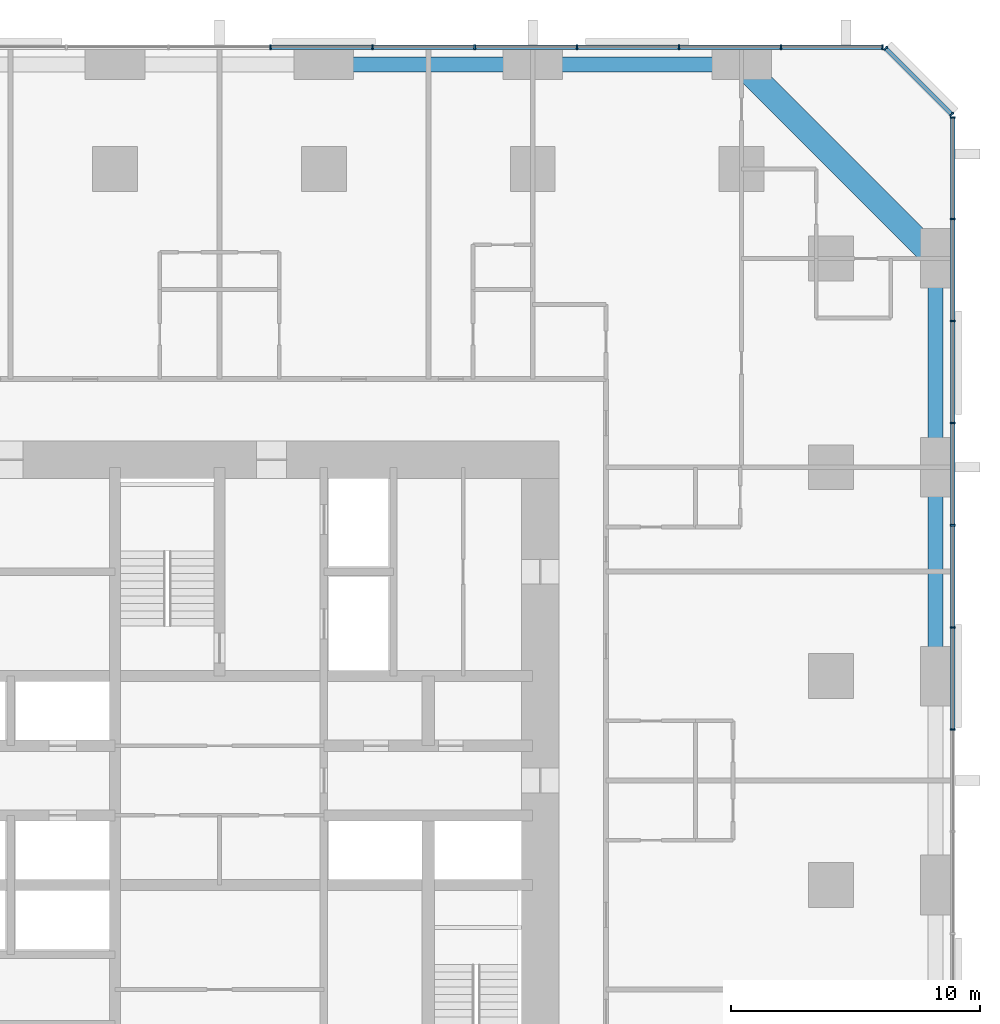
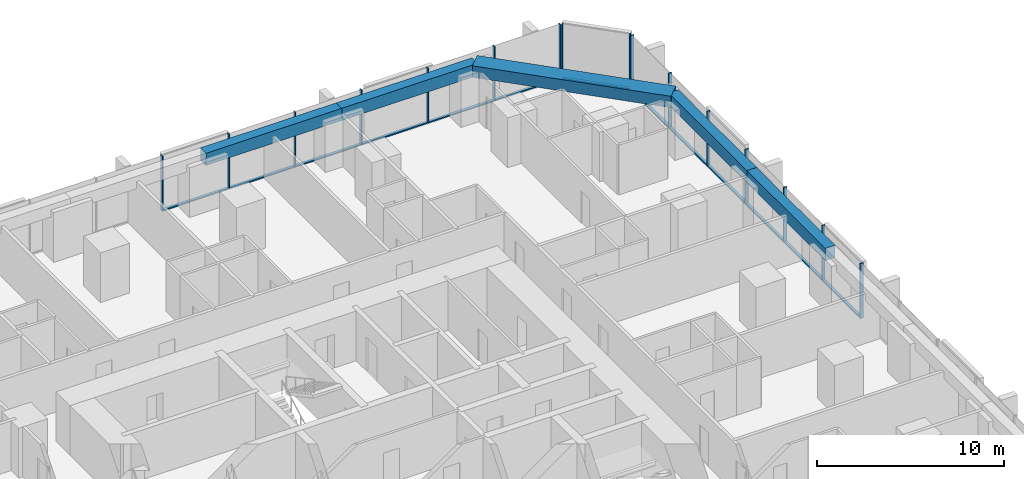
# One storey, part 8 of 17: 29 members, 5 beams, 3 elements without a shape of their own.
"""IFC4 building model written with IfcOpenShell, lengths in metres."""

from ifc_helpers import new_model, si_unit, direction, frame, origin, origin_2d, place, context, subcontext, project, spatial, rectangle, extrude, material, material_profile, profile_set, type_object, element, aggregate, save


model = new_model("IFC4")

# Units and contexts
model_context = context("Model", 3, precision=1e-05, world=origin(), true_north=direction((0.0, 1.0)))
body_context = subcontext(model_context, "Body", "Model", "MODEL_VIEW")
ifc_project = project(units=[si_unit("LENGTHUNIT", "METRE"), si_unit("AREAUNIT", "SQUARE_METRE"), si_unit("VOLUMEUNIT", "CUBIC_METRE"), si_unit("PLANEANGLEUNIT", "RADIAN"), si_unit("MASSUNIT", "GRAM", prefix="KILO")], contexts=[model_context])

# Site, building, storey
site_placement = place(None, origin())
site = spatial("IfcSite", under=ifc_project, at=site_placement, CompositionType="ELEMENT")
building_placement = place(site_placement, origin())
building = spatial("IfcBuilding", under=site, at=building_placement, Name="Dunama Terrace Hotel", CompositionType="ELEMENT")
storey_placement = place(building_placement, frame((0.0, 0.0, 70.199951171875)))
storey = spatial("IfcBuildingStorey", under=building, at=storey_placement, Name="L17", CompositionType="ELEMENT", Elevation=70.199951171875)

# Curtain wall, members
ifc_material_1 = material(Name="Aluminium curtain wall system", Category="aluminium")
curtain_wall_type = type_object("IfcCurtainWallType", Name="Unitised fritted glass wall CW-A", PredefinedType="NOTDEFINED", material=ifc_material_1)
curtain_wall_1_placement = place(storey_placement, origin())
curtain_wall_1 = element("IfcCurtainWall", 1, at=curtain_wall_1_placement, inside=storey, type_object=curtain_wall_type, Name="Unitised fritted glass wall CW-A L17", PredefinedType="NOTDEFINED")
ifc_material_2 = material(Name="Aluminium mullion", Category="aluminium")
ifc_material_profile_1 = material_profile(ifc_material_2, rectangle(XDim=0.06494140625, YDim=0.199951171875, at=origin_2d()), Name="CWA MULLION 65X200")
ifc_profile_set_1 = profile_set([ifc_material_profile_1], Name="Aluminium mullion")
member_type_1 = type_object("IfcMemberType", Name="CWA mullion 65x200", PredefinedType="MULLION", material=ifc_profile_set_1)
member_1_placement = place(storey_placement, frame((58.89990234375, 31.4541015625, 0.0), z_axis=(0.0, 0.0, 1.0), x_axis=(0.0, 1.0, 0.0)))
member_1 = element("IfcMember", 2, at=member_1_placement, type_object=member_type_1, Name="CWA mullion", PredefinedType="MULLION", context=body_context, shape_type="SweptSolid", body=[
    extrude(rectangle(XDim=0.06494140625, YDim=0.199951171875, at=origin_2d()), origin(), (0.0, 0.0, 1.0), 3.60009765625),
])
member_2_placement = place(storey_placement, frame((58.89990234375, 35.56201171875, 0.0), z_axis=(0.0, 0.0, 1.0), x_axis=(0.0, 1.0, 0.0)))
member_2 = element("IfcMember", 3, at=member_2_placement, type_object=member_type_1, Name="CWA mullion", PredefinedType="MULLION", context=body_context, shape_type="SweptSolid", body=[
    extrude(rectangle(XDim=0.06494140625, YDim=0.199951171875, at=origin_2d()), origin(), (0.0, 0.0, 1.0), 3.60009765625),
])
member_3_placement = place(storey_placement, frame((58.89990234375, 39.6689453125, 0.0), z_axis=(0.0, 0.0, 1.0), x_axis=(0.0, 1.0, 0.0)))
member_3 = element("IfcMember", 4, at=member_3_placement, type_object=member_type_1, Name="CWA mullion", PredefinedType="MULLION", context=body_context, shape_type="SweptSolid", body=[
    extrude(rectangle(XDim=0.06494140625, YDim=0.199951171875, at=origin_2d()), origin(), (0.0, 0.0, 1.0), 3.60009765625),
])
member_4_placement = place(storey_placement, frame((58.89990234375, 43.777099609375, 0.0), z_axis=(0.0, 0.0, 1.0), x_axis=(0.0, 1.0, 0.0)))
member_4 = element("IfcMember", 5, at=member_4_placement, type_object=member_type_1, Name="CWA mullion", PredefinedType="MULLION", context=body_context, shape_type="SweptSolid", body=[
    extrude(rectangle(XDim=0.06494140625, YDim=0.199951171875, at=origin_2d()), origin(), (0.0, 0.0, 1.0), 3.60009765625),
])
member_5_placement = place(storey_placement, frame((58.89990234375, 47.885009765625, 0.0), z_axis=(0.0, 0.0, 1.0), x_axis=(0.0, 1.0, 0.0)))
member_5 = element("IfcMember", 6, at=member_5_placement, type_object=member_type_1, Name="CWA mullion", PredefinedType="MULLION", context=body_context, shape_type="SweptSolid", body=[
    extrude(rectangle(XDim=0.06494140625, YDim=0.199951171875, at=origin_2d()), origin(), (0.0, 0.0, 1.0), 3.60009765625),
])
member_6_placement = place(storey_placement, frame((58.89990234375, 51.991943359375, 0.0), z_axis=(0.0, 0.0, 1.0), x_axis=(0.0, 1.0, 0.0)))
member_6 = element("IfcMember", 7, at=member_6_placement, type_object=member_type_1, Name="CWA mullion", PredefinedType="MULLION", context=body_context, shape_type="SweptSolid", body=[
    extrude(rectangle(XDim=0.06494140625, YDim=0.199951171875, at=origin_2d()), origin(), (0.0, 0.0, 1.0), 3.60009765625),
])
member_7_placement = place(storey_placement, frame((58.89990234375, 56.06689453125, 0.0), z_axis=(0.0, 0.0, 1.0), x_axis=(0.0, 1.0, 0.0)))
member_7 = element("IfcMember", 8, at=member_7_placement, type_object=member_type_1, Name="CWA mullion", PredefinedType="MULLION", context=body_context, shape_type="SweptSolid", body=[
    extrude(rectangle(XDim=0.06494140625, YDim=0.199951171875, at=origin_2d()), origin(), (0.0, 0.0, 1.0), 3.60009765625),
])

curtain_wall_2_placement = place(storey_placement, origin())
curtain_wall_2 = element("IfcCurtainWall", 9, at=curtain_wall_2_placement, inside=storey, type_object=curtain_wall_type, Name="Unitised fritted glass wall CW-A L17", PredefinedType="NOTDEFINED")
member_8_placement = place(storey_placement, frame((58.847900390625, 56.194091796875, 0.0), z_axis=(0.0, 0.0, 1.0), x_axis=(-0.707106781187, 0.707106781187, 0.0)))
member_8 = element("IfcMember", 10, at=member_8_placement, type_object=member_type_1, Name="CWA mullion", PredefinedType="MULLION", context=body_context, shape_type="SweptSolid", body=[
    extrude(rectangle(XDim=0.06494140625, YDim=0.199951171875, at=origin_2d()), origin(), (0.0, 0.0, 1.0), 3.60009765625),
])
member_9_placement = place(storey_placement, frame((56.194091796875, 58.847900390625, 0.0), z_axis=(0.0, 0.0, 1.0), x_axis=(-0.707106781187, 0.707106781187, 0.0)))
member_9 = element("IfcMember", 11, at=member_9_placement, type_object=member_type_1, Name="CWA mullion", PredefinedType="MULLION", context=body_context, shape_type="SweptSolid", body=[
    extrude(rectangle(XDim=0.06494140625, YDim=0.199951171875, at=origin_2d()), origin(), (0.0, 0.0, 1.0), 3.60009765625),
])

curtain_wall_3_placement = place(storey_placement, origin())
curtain_wall_3 = element("IfcCurtainWall", 12, at=curtain_wall_3_placement, inside=storey, type_object=curtain_wall_type, Name="Unitised fritted glass wall CW-A L17", PredefinedType="NOTDEFINED")
member_10_placement = place(storey_placement, frame((56.06689453125, 58.89990234375, 0.0), z_axis=(0.0, 0.0, 1.0), x_axis=(-1.0, 0.0, 0.0)))
member_10 = element("IfcMember", 13, at=member_10_placement, type_object=member_type_1, Name="CWA mullion", PredefinedType="MULLION", context=body_context, shape_type="SweptSolid", body=[
    extrude(rectangle(XDim=0.06494140625, YDim=0.199951171875, at=origin_2d()), origin(), (0.0, 0.0, 1.0), 3.60009765625),
])
member_11_placement = place(storey_placement, frame((51.991943359375, 58.89990234375, 0.0), z_axis=(0.0, 0.0, 1.0), x_axis=(-1.0, 0.0, 0.0)))
member_11 = element("IfcMember", 14, at=member_11_placement, type_object=member_type_1, Name="CWA mullion", PredefinedType="MULLION", context=body_context, shape_type="SweptSolid", body=[
    extrude(rectangle(XDim=0.06494140625, YDim=0.199951171875, at=origin_2d()), origin(), (0.0, 0.0, 1.0), 3.60009765625),
])
member_12_placement = place(storey_placement, frame((47.885009765625, 58.89990234375, 0.0), z_axis=(0.0, 0.0, 1.0), x_axis=(-1.0, 0.0, 0.0)))
member_12 = element("IfcMember", 15, at=member_12_placement, type_object=member_type_1, Name="CWA mullion", PredefinedType="MULLION", context=body_context, shape_type="SweptSolid", body=[
    extrude(rectangle(XDim=0.06494140625, YDim=0.199951171875, at=origin_2d()), origin(), (0.0, 0.0, 1.0), 3.60009765625),
])
member_13_placement = place(storey_placement, frame((43.777099609375, 58.89990234375, 0.0), z_axis=(0.0, 0.0, 1.0), x_axis=(-1.0, 0.0, 0.0)))
member_13 = element("IfcMember", 16, at=member_13_placement, type_object=member_type_1, Name="CWA mullion", PredefinedType="MULLION", context=body_context, shape_type="SweptSolid", body=[
    extrude(rectangle(XDim=0.06494140625, YDim=0.199951171875, at=origin_2d()), origin(), (0.0, 0.0, 1.0), 3.60009765625),
])
member_14_placement = place(storey_placement, frame((39.6689453125, 58.89990234375, 0.0), z_axis=(0.0, 0.0, 1.0), x_axis=(-1.0, 0.0, 0.0)))
member_14 = element("IfcMember", 17, at=member_14_placement, type_object=member_type_1, Name="CWA mullion", PredefinedType="MULLION", context=body_context, shape_type="SweptSolid", body=[
    extrude(rectangle(XDim=0.06494140625, YDim=0.199951171875, at=origin_2d()), origin(), (0.0, 0.0, 1.0), 3.60009765625),
])
member_15_placement = place(storey_placement, frame((35.56201171875, 58.89990234375, 0.0), z_axis=(0.0, 0.0, 1.0), x_axis=(-1.0, 0.0, 0.0)))
member_15 = element("IfcMember", 18, at=member_15_placement, type_object=member_type_1, Name="CWA mullion", PredefinedType="MULLION", context=body_context, shape_type="SweptSolid", body=[
    extrude(rectangle(XDim=0.06494140625, YDim=0.199951171875, at=origin_2d()), origin(), (0.0, 0.0, 1.0), 3.60009765625),
])
member_16_placement = place(storey_placement, frame((31.4541015625, 58.89990234375, 0.0), z_axis=(0.0, 0.0, 1.0), x_axis=(-1.0, 0.0, 0.0)))
member_16 = element("IfcMember", 19, at=member_16_placement, type_object=member_type_1, Name="CWA mullion", PredefinedType="MULLION", context=body_context, shape_type="SweptSolid", body=[
    extrude(rectangle(XDim=0.06494140625, YDim=0.199951171875, at=origin_2d()), origin(), (0.0, 0.0, 1.0), 3.60009765625),
])

# Member
ifc_material_3 = material(Name="Aluminium transom", Category="aluminium")
ifc_material_profile_2 = material_profile(ifc_material_3, rectangle(XDim=0.179931640625, YDim=0.074951171875, at=origin_2d()), Name="CWA TRANSOM 180X75")
ifc_profile_set_2 = profile_set([ifc_material_profile_2], Name="Aluminium transom")
member_type_2 = type_object("IfcMemberType", Name="CWA transom 180x75", PredefinedType="USERDEFINED", material=ifc_profile_set_2)
member_17_placement = place(storey_placement, frame((58.89990234375, 31.486083984375, 0.03759765625), z_axis=(0.0, 1.0, 0.0), x_axis=(-1.0, 0.0, 0.0)))
member_17 = element("IfcMember", 20, at=member_17_placement, type_object=member_type_2, Name="CWA transom", ObjectType="TRANSOM", PredefinedType="USERDEFINED", context=body_context, shape_type="SweptSolid", body=[
    extrude(rectangle(XDim=0.179931640625, YDim=0.074951171875, at=origin_2d()), origin(), (0.0, 0.0, 1.0), 4.04296875),
])

member_18_placement = place(storey_placement, frame((58.89990234375, 35.593994140625, 0.03759765625), z_axis=(0.0, 1.0, 0.0), x_axis=(-1.0, 0.0, 0.0)))
member_18 = element("IfcMember", 21, at=member_18_placement, type_object=member_type_2, Name="CWA transom", ObjectType="TRANSOM", PredefinedType="USERDEFINED", context=body_context, shape_type="SweptSolid", body=[
    extrude(rectangle(XDim=0.179931640625, YDim=0.074951171875, at=origin_2d()), origin(), (0.0, 0.0, 1.0), 4.04296875),
])

member_19_placement = place(storey_placement, frame((58.89990234375, 39.701904296875, 0.03759765625), z_axis=(0.0, 1.0, 0.0), x_axis=(-1.0, 0.0, 0.0)))
member_19 = element("IfcMember", 22, at=member_19_placement, type_object=member_type_2, Name="CWA transom", ObjectType="TRANSOM", PredefinedType="USERDEFINED", context=body_context, shape_type="SweptSolid", body=[
    extrude(rectangle(XDim=0.179931640625, YDim=0.074951171875, at=origin_2d()), origin(), (0.0, 0.0, 1.0), 4.0419921875),
])

member_20_placement = place(storey_placement, frame((58.89990234375, 43.80908203125, 0.03759765625), z_axis=(0.0, 1.0, 0.0), x_axis=(-1.0, 0.0, 0.0)))
member_20 = element("IfcMember", 23, at=member_20_placement, type_object=member_type_2, Name="CWA transom", ObjectType="TRANSOM", PredefinedType="USERDEFINED", context=body_context, shape_type="SweptSolid", body=[
    extrude(rectangle(XDim=0.179931640625, YDim=0.074951171875, at=origin_2d()), origin(), (0.0, 0.0, 1.0), 4.04296875),
])

member_21_placement = place(storey_placement, frame((58.89990234375, 47.9169921875, 0.03759765625), z_axis=(0.0, 1.0, 0.0), x_axis=(-1.0, 0.0, 0.0)))
member_21 = element("IfcMember", 24, at=member_21_placement, type_object=member_type_2, Name="CWA transom", ObjectType="TRANSOM", PredefinedType="USERDEFINED", context=body_context, shape_type="SweptSolid", body=[
    extrude(rectangle(XDim=0.179931640625, YDim=0.074951171875, at=origin_2d()), origin(), (0.0, 0.0, 1.0), 4.04296875),
])

member_22_placement = place(storey_placement, frame((58.89990234375, 52.02490234375, 0.03759765625), z_axis=(0.0, 1.0, 0.0), x_axis=(-1.0, 0.0, 0.0)))
member_22 = element("IfcMember", 25, at=member_22_placement, type_object=member_type_2, Name="CWA transom", ObjectType="TRANSOM", PredefinedType="USERDEFINED", context=body_context, shape_type="SweptSolid", body=[
    extrude(rectangle(XDim=0.179931640625, YDim=0.074951171875, at=origin_2d()), origin(), (0.0, 0.0, 1.0), 4.010009765625),
])

aggregate(curtain_wall_1, [member_1, member_2, member_3, member_4, member_5, member_6, member_7, member_17, member_18, member_19, member_20, member_21, member_22])

member_23_placement = place(storey_placement, frame((58.824951171875, 56.217041015625, 0.03759765625), z_axis=(-0.707106781187, 0.707106781187, 0.0), x_axis=(-0.707106781187, -0.707106781187, 0.0)))
member_23 = element("IfcMember", 26, at=member_23_placement, type_object=member_type_2, Name="CWA transom", ObjectType="TRANSOM", PredefinedType="USERDEFINED", context=body_context, shape_type="SweptSolid", body=[
    extrude(rectangle(XDim=0.179931640625, YDim=0.074951171875, at=origin_2d()), origin(), (0.0, 0.0, 1.0), 3.688232421875),
])

aggregate(curtain_wall_2, [member_8, member_9, member_23])

member_24_placement = place(storey_placement, frame((56.034912109375, 58.89990234375, 0.03759765625), z_axis=(-1.0, 0.0, 0.0), x_axis=(0.0, -1.0, 0.0)))
member_24 = element("IfcMember", 27, at=member_24_placement, type_object=member_type_2, Name="CWA transom", ObjectType="TRANSOM", PredefinedType="USERDEFINED", context=body_context, shape_type="SweptSolid", body=[
    extrude(rectangle(XDim=0.179931640625, YDim=0.074951171875, at=origin_2d()), origin(), (0.0, 0.0, 1.0), 4.010009765625),
])

member_25_placement = place(storey_placement, frame((51.9599609375, 58.89990234375, 0.03759765625), z_axis=(-1.0, 0.0, 0.0), x_axis=(0.0, -1.0, 0.0)))
member_25 = element("IfcMember", 28, at=member_25_placement, type_object=member_type_2, Name="CWA transom", ObjectType="TRANSOM", PredefinedType="USERDEFINED", context=body_context, shape_type="SweptSolid", body=[
    extrude(rectangle(XDim=0.179931640625, YDim=0.074951171875, at=origin_2d()), origin(), (0.0, 0.0, 1.0), 4.04296875),
])

member_26_placement = place(storey_placement, frame((47.85205078125, 58.89990234375, 0.03759765625), z_axis=(-1.0, 0.0, 0.0), x_axis=(0.0, -1.0, 0.0)))
member_26 = element("IfcMember", 29, at=member_26_placement, type_object=member_type_2, Name="CWA transom", ObjectType="TRANSOM", PredefinedType="USERDEFINED", context=body_context, shape_type="SweptSolid", body=[
    extrude(rectangle(XDim=0.179931640625, YDim=0.074951171875, at=origin_2d()), origin(), (0.0, 0.0, 1.0), 4.04296875),
])

member_27_placement = place(storey_placement, frame((43.743896484375, 58.89990234375, 0.03759765625), z_axis=(-1.0, 0.0, 0.0), x_axis=(0.0, -1.0, 0.0)))
member_27 = element("IfcMember", 30, at=member_27_placement, type_object=member_type_2, Name="CWA transom", ObjectType="TRANSOM", PredefinedType="USERDEFINED", context=body_context, shape_type="SweptSolid", body=[
    extrude(rectangle(XDim=0.179931640625, YDim=0.074951171875, at=origin_2d()), origin(), (0.0, 0.0, 1.0), 4.0419921875),
])

member_28_placement = place(storey_placement, frame((39.636962890625, 58.89990234375, 0.03759765625), z_axis=(-1.0, 0.0, 0.0), x_axis=(0.0, -1.0, 0.0)))
member_28 = element("IfcMember", 31, at=member_28_placement, type_object=member_type_2, Name="CWA transom", ObjectType="TRANSOM", PredefinedType="USERDEFINED", context=body_context, shape_type="SweptSolid", body=[
    extrude(rectangle(XDim=0.179931640625, YDim=0.074951171875, at=origin_2d()), origin(), (0.0, 0.0, 1.0), 4.04296875),
])

member_29_placement = place(storey_placement, frame((35.529052734375, 58.89990234375, 0.03759765625), z_axis=(-1.0, 0.0, 0.0), x_axis=(0.0, -1.0, 0.0)))
member_29 = element("IfcMember", 32, at=member_29_placement, type_object=member_type_2, Name="CWA transom", ObjectType="TRANSOM", PredefinedType="USERDEFINED", context=body_context, shape_type="SweptSolid", body=[
    extrude(rectangle(XDim=0.179931640625, YDim=0.074951171875, at=origin_2d()), origin(), (0.0, 0.0, 1.0), 4.04296875),
])

aggregate(curtain_wall_3, [member_10, member_11, member_12, member_13, member_14, member_15, member_16, member_24, member_25, member_26, member_27, member_28, member_29])

# Beams
ifc_material_4 = material(Name="Concrete C50/60", Category="concrete")
ifc_material_profile_3 = material_profile(ifc_material_4, rectangle(XDim=1.0, YDim=0.75, at=origin_2d()), Name="RC 1000x750")
ifc_profile_set_3 = profile_set([ifc_material_profile_3], Name="Concrete C50/60")
beam_type_1 = type_object("IfcBeamType", Name="Edge beam RC 1000x750", PredefinedType="SPANDREL", material=ifc_profile_set_3)
beam_placement = place(storey_placement, frame((50.39990234375, 58.199951171875, 3.22509765625), z_axis=(0.707106781187, -0.707106781187, 0.0), x_axis=(0.707106781187, 0.707106781187, 0.0)))
element("IfcBeam", 33, at=beam_placement, inside=storey, type_object=beam_type_1, Name="Corner edge beam under L18", PredefinedType="SPANDREL", context=body_context, shape_type="SweptSolid", body=[
    extrude(rectangle(XDim=1.0, YDim=0.75, at=origin_2d()), origin(), (0.0, 0.0, 1.0), 11.031005859375),
])
ifc_material_5 = material(Name="Concrete C40/50", Category="concrete")
ifc_material_profile_4 = material_profile(ifc_material_5, rectangle(XDim=0.60009765625, YDim=0.800048828125, at=origin_2d()), Name="RC 600x800")
ifc_profile_set_4 = profile_set([ifc_material_profile_4], Name="Concrete C40/50")
beam_type_2 = type_object("IfcBeamType", Name="Edge beam RC 600x800", PredefinedType="SPANDREL", material=ifc_profile_set_4)
for number, where, z_axis, x_axis, name in (
    (34, (58.199951171875, 33.60009765625, 3.199951171875), (0.0, 1.0, 0.0), (-1.0, 0.0, 0.0), "Edge beam under L18"),
    (35, (58.199951171875, 42.0, 3.199951171875), (0.0, 1.0, 0.0), (-1.0, 0.0, 0.0), "Edge beam under L18"),
    (36, (33.60009765625, 58.199951171875, 3.199951171875), (1.0, 0.0, 0.0), (0.0, 1.0, 0.0), "Edge beam under L18"),
    (37, (42.0, 58.199951171875, 3.199951171875), (1.0, 0.0, 0.0), (0.0, 1.0, 0.0), "Edge beam under L18"),
):
    element("IfcBeam", number, at=place(storey_placement, frame(where, z_axis=z_axis, x_axis=x_axis)), inside=storey, type_object=beam_type_2, Name=name, PredefinedType="SPANDREL", context=body_context, shape_type="SweptSolid", body=[
        extrude(rectangle(XDim=0.60009765625, YDim=0.800048828125, at=origin_2d()), origin(), (0.0, 0.0, 1.0), 8.39990234375),
    ])

save(model, "model.ifc")
